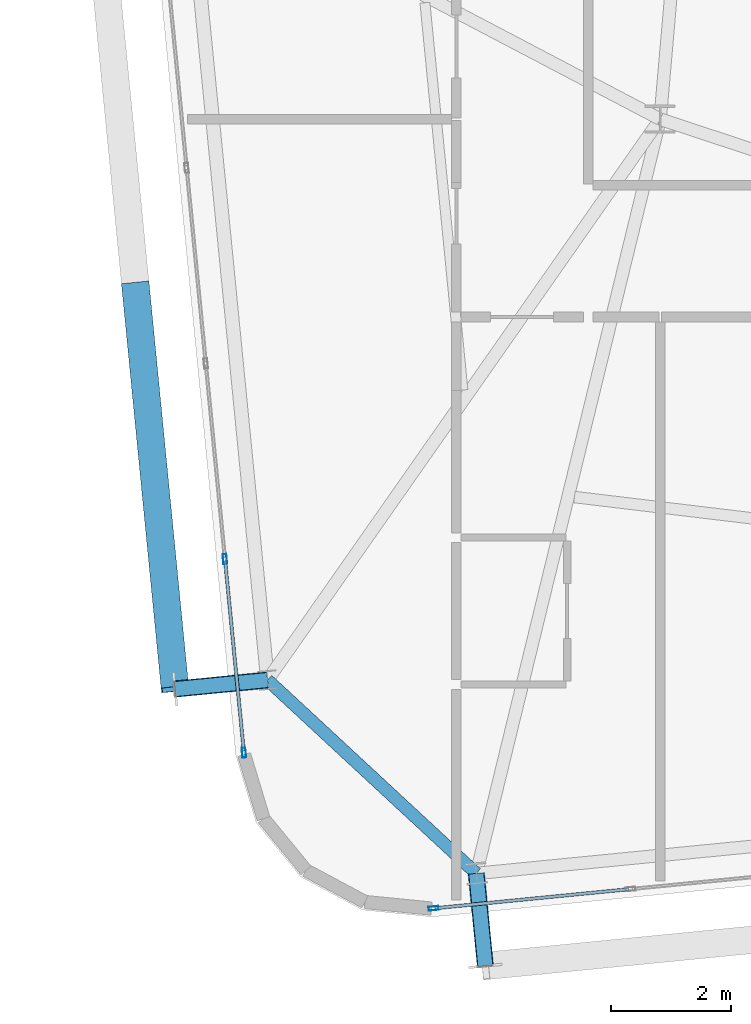
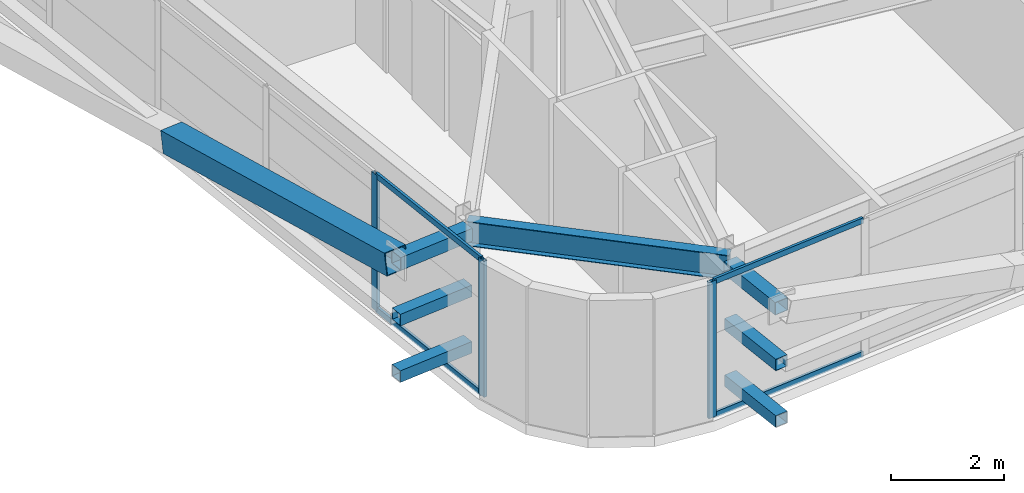
# One storey, part 5 of 54: 14 members, 1 beam, 2 elements without a shape of their own.
"""IFC4 building model written with IfcOpenShell, lengths in metres."""

from ifc_helpers import new_model, si_unit, direction, frame, origin, origin_2d, place, context, subcontext, project, spatial, hollow_rectangle, i_section, extrude, source, transform, mapped, material, layer, layer_set, material_profile, profile_set, type_object, element, aggregate, save


model = new_model("IFC4")

# Units and contexts
model_context = context("Model", 3, precision=1e-05, world=origin(), true_north=direction((0.0, 1.0)))
body_context = subcontext(model_context, "Body", "Model", "MODEL_VIEW")
ifc_project = project(units=[si_unit("LENGTHUNIT", "METRE"), si_unit("AREAUNIT", "SQUARE_METRE"), si_unit("VOLUMEUNIT", "CUBIC_METRE"), si_unit("PLANEANGLEUNIT", "RADIAN"), si_unit("MASSUNIT", "GRAM", prefix="KILO")], contexts=[model_context])

# Site, building, storey
site_placement = place(None, origin())
site = spatial("IfcSite", under=ifc_project, at=site_placement, CompositionType="ELEMENT")
building_placement = place(site_placement, origin())
building = spatial("IfcBuilding", under=site, at=building_placement, Name="Taldren Reach Tower", CompositionType="ELEMENT")
storey_placement = place(building_placement, frame((0.0, 0.0, 102.89990234375)))
storey = spatial("IfcBuildingStorey", under=building, at=storey_placement, Name="L31", CompositionType="ELEMENT", Elevation=102.89990234375)

# Beam
ifc_material_1 = material(Name="Steel Gr 350 (350PLUS)", Category="steel")
ifc_material_profile_1 = material_profile(ifc_material_1, i_section(OverallWidth=0.208984375, OverallDepth=0.528076171875, WebThickness=0.009521484375, FlangeThickness=0.01318359375, at=origin_2d()), Name="530UB82.0")
ifc_profile_set_1 = profile_set([ifc_material_profile_1], Name="Steel Gr 350 (350PLUS)")
beam_type = type_object("IfcBeamType", Name="SP-UB530B", PredefinedType="SPANDREL", material=ifc_profile_set_1)
shared_shape_1 = source(origin(), body_context, "Body", "SweptSolid", [
    extrude(i_section(OverallWidth=0.208984375, OverallDepth=0.528076171875, WebThickness=0.009521484375, FlangeThickness=0.01318359375, at=origin_2d()), origin(), (0.0, 0.0, 1.0), 4.745849609375),
])
beam_placement = place(storey_placement, frame((11.452880859375, 3.145751953125, 2.666015625), z_axis=(0.733524121458, -0.679663419083, 0.0), x_axis=(0.679663419083, 0.733524121458, 0.0)))
element("IfcBeam", 1, at=beam_placement, inside=storey, type_object=beam_type, Name="Perimeter spandrel B2 W1-S1 L31", PredefinedType="SPANDREL", context=body_context, shape_type="MappedRepresentation", body=[
    mapped(shared_shape_1, transform((0.0, 0.0, 0.0), scale=1.0)),
])

# Members
ifc_material_2 = material(Name="Steel Gr 450 (C450L0)", Category="steel")
ifc_material_profile_2 = material_profile(ifc_material_2, hollow_rectangle(XDim=0.27490234375, YDim=0.27490234375, WallThickness=0.00927734375, at=origin_2d()), Name="275x275x9.3SHS")
ifc_profile_set_2 = profile_set([ifc_material_profile_2], Name="Steel Gr 450 (C450L0)")
member_type_1 = type_object("IfcMemberType", Name="MB-TIE273", PredefinedType="STRUT", material=ifc_profile_set_2)
shared_shape_2 = source(origin(), body_context, "Body", "SweptSolid", [
    extrude(hollow_rectangle(XDim=0.27490234375, YDim=0.27490234375, WallThickness=0.00927734375, at=origin_2d()), origin(), (0.0, 0.0, 1.0), 1.550048828125),
])
for number, where, z_axis, x_axis, name in (
    (2, (14.93408203125, -0.079833984375, 2.650146484375), (0.097647892962, -0.9952210252, 0.0), (0.9952210252, 0.097647892962, 0.0), "Exoskeleton diaphragm tie strut B2-S1 L31"),
    (3, (11.452880859375, 3.145751953125, 2.650146484375), (-0.995236318924, -0.097491894511, 0.0), (0.097491894511, -0.995236318924, 0.0), "Exoskeleton diaphragm tie strut B2-W1 L31"),
):
    element("IfcMember", number, at=place(storey_placement, frame(where, z_axis=z_axis, x_axis=x_axis)), inside=storey, type_object=member_type_1, Name=name, PredefinedType="STRUT", context=body_context, shape_type="MappedRepresentation", body=[
        mapped(shared_shape_2, transform((0.0, 0.0, 0.0), scale=1.0)),
    ])
ifc_material_3 = material(Name="Steel Gr 350 (C350L0)", Category="steel")
ifc_material_profile_3 = material_profile(ifc_material_3, hollow_rectangle(XDim=0.25, YDim=0.25, WallThickness=0.010009765625, at=origin_2d()), Name="250x250x10.0SHS")
ifc_profile_set_3 = profile_set([ifc_material_profile_3], Name="Steel Gr 350 (C350L0)")
member_type_2 = type_object("IfcMemberType", Name="MB-POST250", PredefinedType="POST", material=ifc_profile_set_3)
shared_shape_3 = source(origin(), body_context, "Body", "SweptSolid", [
    extrude(hollow_rectangle(XDim=0.25, YDim=0.25, WallThickness=0.010009765625, at=origin_2d()), origin(), (0.0, 0.0, 1.0), 1.550048828125),
])
for number, where, z_axis, x_axis, name in (
    (4, (14.93408203125, -0.079833984375, 0.22021484375), (0.097647892962, -0.9952210252, 0.0), (0.9952210252, 0.097647892962, 0.0), "Exoskeleton base diaphragm tie strut B2-S1 L31"),
    (5, (11.452880859375, 3.145751953125, 0.22021484375), (-0.995236318924, -0.097491894511, 0.0), (0.097491894511, -0.995236318924, 0.0), "Exoskeleton base diaphragm tie strut B2-W1 L31"),
    (6, (14.93408203125, -0.079833984375, 1.43505859375), (0.097647892962, -0.9952210252, 0.0), (0.9952210252, 0.097647892962, 0.0), "Exoskeleton mid-tier diaphragm tie B2-S1 L31"),
    (7, (11.452880859375, 3.145751953125, 1.43505859375), (-0.995236318924, -0.097491894511, 0.0), (0.097491894511, -0.995236318924, 0.0), "Exoskeleton mid-tier diaphragm tie B2-W1 L31"),
):
    element("IfcMember", number, at=place(storey_placement, frame(where, z_axis=z_axis, x_axis=x_axis)), inside=storey, type_object=member_type_2, Name=name, PredefinedType="POST", context=body_context, shape_type="MappedRepresentation", body=[
        mapped(shared_shape_3, transform((0.0, 0.0, 0.0), scale=1.0)),
    ])
ifc_material_profile_4 = material_profile(ifc_material_2, hollow_rectangle(XDim=0.4599609375, YDim=0.4599609375, WallThickness=0.01611328125, at=origin_2d()), Name="460x460x16.0SHS")
ifc_profile_set_4 = profile_set([ifc_material_profile_4], Name="Steel Gr 450 (C450L0)")
member_type_3 = type_object("IfcMemberType", Name="MB-EXO457", PredefinedType="BRACE", material=ifc_profile_set_4)
shared_shape_4 = source(origin(), body_context, "Body", "SweptSolid", [
    extrude(hollow_rectangle(XDim=0.4599609375, YDim=0.4599609375, WallThickness=0.01611328125, at=origin_2d()), origin(), (0.0, 0.0, 1.0), 6.883056640625),
])
member_1_placement = place(storey_placement, frame((9.2490234375, 9.7373046875, 1.43505859375), z_axis=(0.09605145821, -0.97959718347, 0.176531797456), x_axis=(0.995227290009, 0.097584021339, 0.0)))
element("IfcMember", 8, at=member_1_placement, inside=storey, type_object=member_type_3, Name="Exoskeleton Diagrid Brace B2-W1 L31", PredefinedType="BRACE", context=body_context, shape_type="MappedRepresentation", body=[
    mapped(shared_shape_4, transform((0.0, 0.0, 0.0), scale=1.0)),
])

# Curtain wall, member
ifc_material_4 = material(Name="Aluminium and Low-E Glass Unitised System", Category="aluminium")
ifc_layer = layer(ifc_material_4, 0.159912109375)
ifc_layer_set = layer_set([ifc_layer], Name="Aluminium and Low-E Glass Unitised System")
curtain_wall_type = type_object("IfcCurtainWallType", Name="CW-SYS-3", PredefinedType="NOTDEFINED", material=ifc_layer_set)
curtain_wall_1_placement = place(storey_placement, origin())
curtain_wall_1 = element("IfcCurtainWall", 9, at=curtain_wall_1_placement, inside=storey, type_object=curtain_wall_type, Name="Unitised curtain wall CW-L31-S", PredefinedType="NOTDEFINED")
ifc_material_5 = material(Name="Anodised Aluminium 6063-T6", Category="aluminium")
ifc_material_profile_5 = material_profile(ifc_material_5, hollow_rectangle(XDim=0.06494140625, YDim=0.1650390625, WallThickness=0.00390625, at=origin_2d()), Name="ALU-165x65x4RHS")
ifc_profile_set_5 = profile_set([ifc_material_profile_5], Name="Anodised Aluminium 6063-T6")
member_type_4 = type_object("IfcMemberType", Name="CW-MUL-165", PredefinedType="MULLION", material=ifc_profile_set_5)
shared_shape_5 = source(origin(), body_context, "Body", "SweptSolid", [
    extrude(hollow_rectangle(XDim=0.06494140625, YDim=0.1650390625, WallThickness=0.00390625, at=origin_2d()), origin(), (0.0, 0.0, 1.0), 2.93017578125),
])
member_2_placement = place(storey_placement, frame((14.22021484375, -0.662353515625, 0.0), z_axis=(0.0, 0.0, 1.0), x_axis=(-0.097582999046, 0.995227390247, 0.0)))
member_2 = element("IfcMember", 10, at=member_2_placement, type_object=member_type_4, Name="CW-3 mullion 1", PredefinedType="MULLION", context=body_context, shape_type="MappedRepresentation", body=[
    mapped(shared_shape_5, transform((0.0, 0.0, 0.0), scale=1.0)),
])

# Curtain wall, members
curtain_wall_2_placement = place(storey_placement, origin())
curtain_wall_2 = element("IfcCurtainWall", 11, at=curtain_wall_2_placement, inside=storey, type_object=curtain_wall_type, Name="Unitised curtain wall CW-L31-W", PredefinedType="NOTDEFINED")
member_3_placement = place(storey_placement, frame((10.742431640625, 5.163818359375, 0.0), z_axis=(0.0, 0.0, 1.0), x_axis=(0.99522741555, 0.09758274098, 0.0)))
member_3 = element("IfcMember", 12, at=member_3_placement, type_object=member_type_4, Name="CW-3 mullion 9", PredefinedType="MULLION", context=body_context, shape_type="MappedRepresentation", body=[
    mapped(shared_shape_5, transform((0.0, 0.0, 0.0), scale=1.0)),
])
member_4_placement = place(storey_placement, frame((11.05908203125, 1.93408203125, 0.0), z_axis=(0.0, 0.0, 1.0), x_axis=(0.99522741555, 0.09758274098, 0.0)))
member_4 = element("IfcMember", 13, at=member_4_placement, type_object=member_type_4, Name="CW-3 mullion 10", PredefinedType="MULLION", context=body_context, shape_type="MappedRepresentation", body=[
    mapped(shared_shape_5, transform((0.0, 0.0, 0.0), scale=1.0)),
])

# Member
ifc_material_profile_6 = material_profile(ifc_material_5, hollow_rectangle(XDim=0.054931640625, YDim=0.1201171875, WallThickness=0.0029296875, at=origin_2d()), Name="ALU-120x55x3RHS")
ifc_profile_set_6 = profile_set([ifc_material_profile_6], Name="Anodised Aluminium 6063-T6")
member_type_5 = type_object("IfcMemberType", Name="CW-TRN-135", PredefinedType="USERDEFINED", material=ifc_profile_set_6)
shared_shape_6 = source(origin(), body_context, "Body", "SweptSolid", [
    extrude(hollow_rectangle(XDim=0.054931640625, YDim=0.1201171875, WallThickness=0.0029296875, at=origin_2d()), origin(), (0.0, 0.0, 1.0), 3.23583984375),
])
member_5_placement = place(storey_placement, frame((14.25244140625, -0.6591796875, 0.027587890625), z_axis=(0.995230248826, 0.097553840629, 0.0), x_axis=(-0.097553840629, 0.995230248826, 0.0)))
member_5 = element("IfcMember", 14, at=member_5_placement, type_object=member_type_5, Name="CW-3 transom 1.1", ObjectType="TRANSOM", PredefinedType="USERDEFINED", context=body_context, shape_type="MappedRepresentation", body=[
    mapped(shared_shape_6, transform((0.0, 0.0, 0.0), scale=1.0)),
])

member_6_placement = place(storey_placement, frame((14.25244140625, -0.6591796875, 2.902587890625), z_axis=(0.995230248826, 0.097553840629, 0.0), x_axis=(-0.097553840629, 0.995230248826, 0.0)))
member_6 = element("IfcMember", 15, at=member_6_placement, type_object=member_type_5, Name="CW-3 transom 1.2", ObjectType="TRANSOM", PredefinedType="USERDEFINED", context=body_context, shape_type="MappedRepresentation", body=[
    mapped(shared_shape_6, transform((0.0, 0.0, 0.0), scale=1.0)),
])

aggregate(curtain_wall_1, [member_2, member_5, member_6])

shared_shape_7 = source(origin(), body_context, "Body", "SweptSolid", [
    extrude(hollow_rectangle(XDim=0.054931640625, YDim=0.1201171875, WallThickness=0.0029296875, at=origin_2d()), origin(), (0.0, 0.0, 1.0), 3.180419921875),
])
member_7_placement = place(storey_placement, frame((10.74560546875, 5.131591796875, 0.027587890625), z_axis=(0.097565460739, -0.995229109738, 0.0), x_axis=(0.995229109738, 0.097565460739, 0.0)))
member_7 = element("IfcMember", 16, at=member_7_placement, type_object=member_type_5, Name="CW-3 transom 9.1", ObjectType="TRANSOM", PredefinedType="USERDEFINED", context=body_context, shape_type="MappedRepresentation", body=[
    mapped(shared_shape_7, transform((0.0, 0.0, 0.0), scale=1.0)),
])

member_8_placement = place(storey_placement, frame((10.74560546875, 5.131591796875, 2.902587890625), z_axis=(0.097565460739, -0.995229109738, 0.0), x_axis=(0.995229109738, 0.097565460739, 0.0)))
member_8 = element("IfcMember", 17, at=member_8_placement, type_object=member_type_5, Name="CW-3 transom 9.2", ObjectType="TRANSOM", PredefinedType="USERDEFINED", context=body_context, shape_type="MappedRepresentation", body=[
    mapped(shared_shape_7, transform((0.0, 0.0, 0.0), scale=1.0)),
])

aggregate(curtain_wall_2, [member_3, member_4, member_7, member_8])

save(model, "model.ifc")
